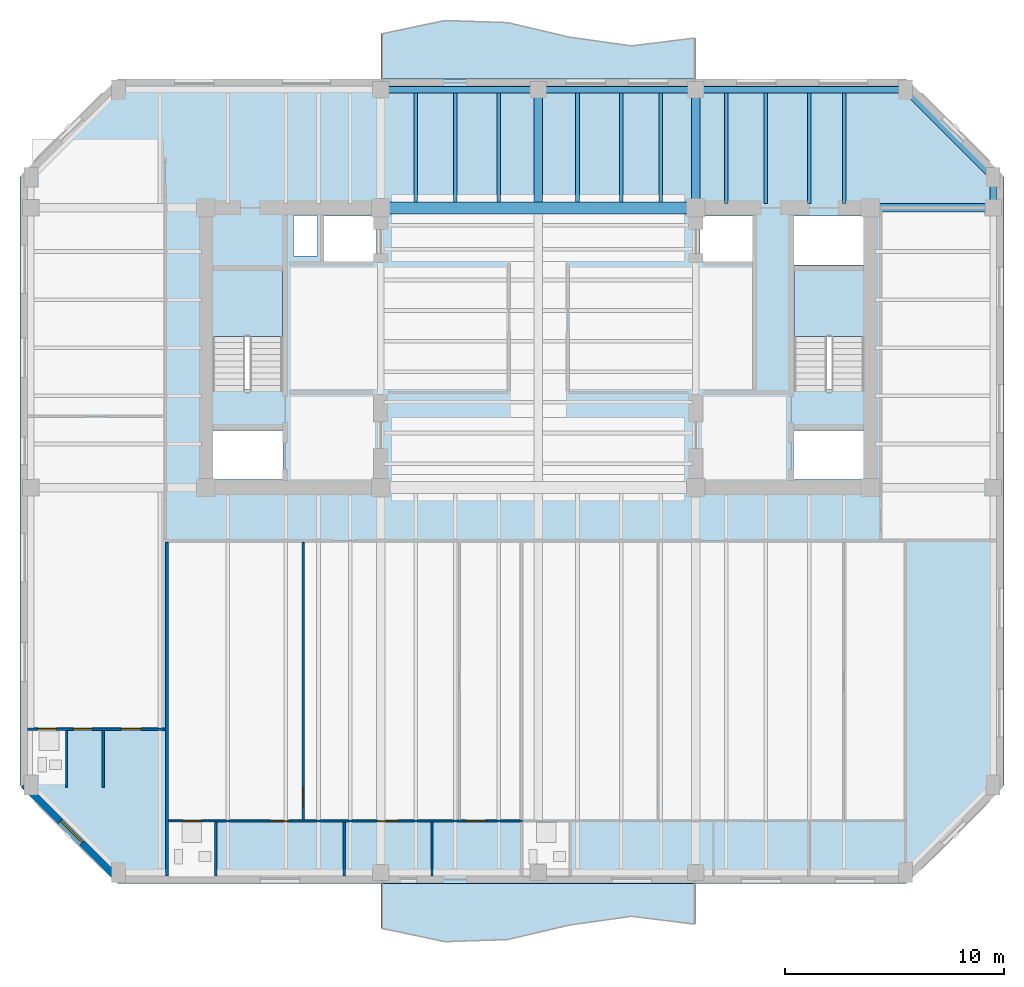
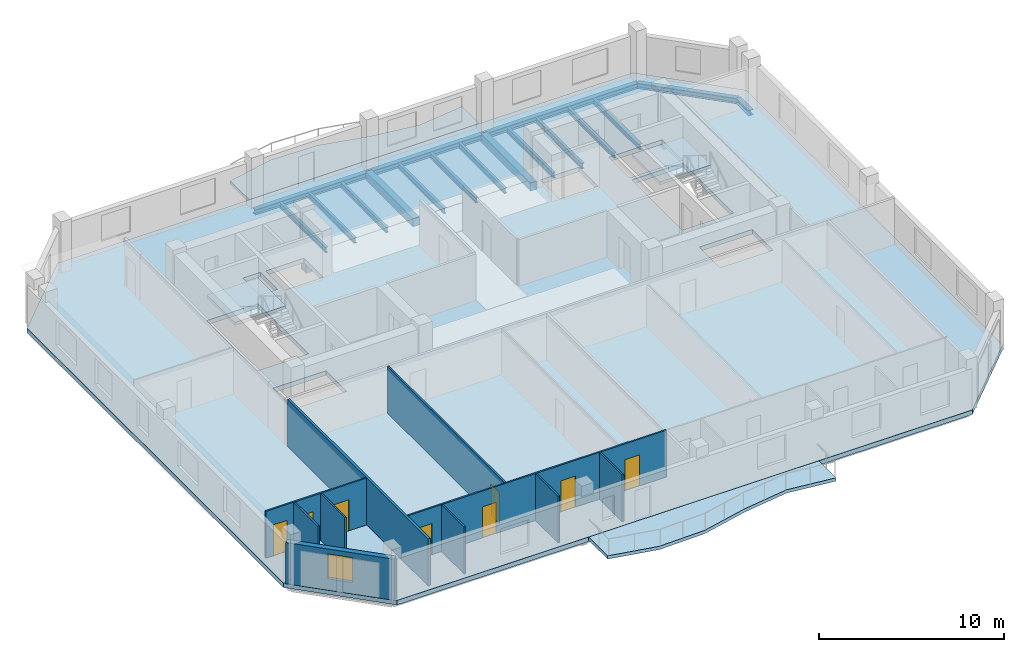
# One storey, part 2 of 10: 19 beams, 10 walls, 8 doors, 5 slabs, 1 window, 9 openings, 2 elements without a shape of their own.
"""IFC4 building model written with IfcOpenShell, lengths in metres."""

from ifc_helpers import new_model, si_unit, direction, frame, frame_2d, origin, origin_2d, place, context, subcontext, project, spatial, polyline, rectangle, i_section, outline, extrude, material, layer, layer_set, material_profile, profile_set, type_object, element, fill, aggregate, save


model = new_model("IFC4")

# Units and contexts
model_context = context("Model", 3, precision=1e-05, world=origin(), true_north=direction((0.0, 1.0)))
body_context = subcontext(model_context, "Body", "Model", "MODEL_VIEW")
ifc_project = project(units=[si_unit("LENGTHUNIT", "METRE"), si_unit("AREAUNIT", "SQUARE_METRE"), si_unit("VOLUMEUNIT", "CUBIC_METRE"), si_unit("PLANEANGLEUNIT", "RADIAN"), si_unit("MASSUNIT", "GRAM", prefix="KILO")], contexts=[model_context])

# Site, building, storey
site_placement = place(None, origin())
site = spatial("IfcSite", under=ifc_project, at=site_placement, CompositionType="ELEMENT")
building_placement = place(site_placement, origin())
building = spatial("IfcBuilding", under=site, at=building_placement, Name="Kranthara Brick Stack", CompositionType="ELEMENT")
storey_placement = place(building_placement, frame((0.0, 0.0, 214.300048828125)))
storey = spatial("IfcBuildingStorey", under=building, at=storey_placement, Name="L55", CompositionType="ELEMENT", Elevation=214.300048828125)

# Beams
ifc_material_1 = material(Name="Concrete C50/60", Category="concrete")
ifc_material_profile_1 = material_profile(ifc_material_1, rectangle(XDim=0.550048828125, YDim=0.85009765625, at=origin_2d()), Name="RC 550x850")
ifc_profile_set_1 = profile_set([ifc_material_profile_1], Name="Concrete C50/60")
beam_type_1 = type_object("IfcBeamType", Name="BM-CPL-RC850", PredefinedType="LINTEL", material=ifc_profile_set_1)
beam_1_placement = place(storey_placement, frame((20.800048828125, 33.60009765625, -0.72509765625), z_axis=(1.0, 0.0, 0.0), x_axis=(0.0, 1.0, 0.0)))
element("IfcBeam", 1, at=beam_1_placement, inside=storey, type_object=beam_type_1, Name="L55 Core Coupling Beam 002", PredefinedType="LINTEL", context=body_context, shape_type="SweptSolid", body=[
    extrude(rectangle(XDim=0.550048828125, YDim=0.85009765625, at=origin_2d()), origin(), (0.0, 0.0, 1.0), 14.39990234375),
])
ifc_material_2 = material(Name="Post-tensioned concrete C45/55", Category="concrete")
ifc_material_profile_2 = material_profile(ifc_material_2, rectangle(XDim=0.39990234375, YDim=0.550048828125, at=origin_2d()), Name="PT 400x550")
ifc_profile_set_2 = profile_set([ifc_material_profile_2], Name="Post-tensioned concrete C45/55")
beam_type_2 = type_object("IfcBeamType", Name="BM-FLR-PT550", PredefinedType="BEAM", material=ifc_profile_set_2)
beam_2_placement = place(storey_placement, frame((28.0, 33.875, -0.574951171875), z_axis=(0.0, 1.0, 0.0), x_axis=(-1.0, 0.0, 0.0)))
element("IfcBeam", 2, at=beam_2_placement, inside=storey, type_object=beam_type_2, Name="L55 Primary Grid Girder 027", PredefinedType="BEAM", context=body_context, shape_type="SweptSolid", body=[
    extrude(rectangle(XDim=0.39990234375, YDim=0.550048828125, at=origin_2d()), origin(), (0.0, 0.0, 1.0), 5.125),
])
beam_3_placement = place(storey_placement, frame((35.199951171875, 33.60009765625, -0.574951171875), z_axis=(0.0, 1.0, 0.0), x_axis=(-1.0, 0.0, 0.0)))
element("IfcBeam", 3, at=beam_3_placement, inside=storey, type_object=beam_type_2, Name="L55 Primary Grid Girder 029", PredefinedType="BEAM", context=body_context, shape_type="SweptSolid", body=[
    extrude(rectangle(XDim=0.39990234375, YDim=0.550048828125, at=origin_2d()), origin(), (0.0, 0.0, 1.0), 5.39990234375),
])
beam_4_placement = place(storey_placement, frame((43.199951171875, 33.60009765625, -0.574951171875), z_axis=(1.0, 0.0, 0.0), x_axis=(0.0, 1.0, 0.0)))
element("IfcBeam", 4, at=beam_4_placement, inside=storey, type_object=beam_type_2, Name="L55 Primary Grid Girder 033", PredefinedType="BEAM", context=body_context, shape_type="SweptSolid", body=[
    extrude(rectangle(XDim=0.39990234375, YDim=0.550048828125, at=origin_2d()), origin(), (0.0, 0.0, 1.0), 5.60009765625),
])
ifc_material_3 = material(Name="Steel S355", Category="steel")
ifc_material_profile_3 = material_profile(ifc_material_3, i_section(OverallWidth=0.169921875, OverallDepth=0.360107421875, WebThickness=0.008056640625, FlangeThickness=0.0126953125, at=origin_2d()), Name="IPE 360")
ifc_profile_set_3 = profile_set([ifc_material_profile_3], Name="Steel S355")
beam_type_3 = type_object("IfcBeamType", Name="BM-JST-IPE360", PredefinedType="JOIST", material=ifc_profile_set_3)
for number, where, z_axis, x_axis, name in (
    (5, (22.39990234375, 33.875, -0.47998046875), (0.0, 1.0, 0.0), (-1.0, 0.0, 0.0), "L55 North Wing Floor Joist 063"),
    (6, (24.199951171875, 33.875, -0.47998046875), (0.0, 1.0, 0.0), (-1.0, 0.0, 0.0), "L55 North Wing Floor Joist 065"),
    (7, (26.199951171875, 33.875, -0.47998046875), (0.0, 1.0, 0.0), (-1.0, 0.0, 0.0), "L55 North Wing Floor Joist 067"),
    (8, (29.800048828125, 33.875, -0.47998046875), (0.0, 1.0, 0.0), (-1.0, 0.0, 0.0), "L55 North Wing Floor Joist 069"),
    (9, (31.800048828125, 33.875, -0.47998046875), (0.0, 1.0, 0.0), (-1.0, 0.0, 0.0), "L55 North Wing Floor Joist 071"),
    (10, (33.60009765625, 33.875, -0.47998046875), (0.0, 1.0, 0.0), (-1.0, 0.0, 0.0), "L55 North Wing Floor Joist 073"),
):
    element("IfcBeam", number, at=place(storey_placement, frame(where, z_axis=z_axis, x_axis=x_axis)), inside=storey, type_object=beam_type_3, Name=name, PredefinedType="JOIST", context=body_context, shape_type="SweptSolid", body=[
        extrude(i_section(OverallWidth=0.169921875, OverallDepth=0.360107421875, WebThickness=0.008056640625, FlangeThickness=0.0126953125, at=origin_2d()), origin(), (0.0, 0.0, 1.0), 4.97509765625),
    ])
for number, where, z_axis, x_axis, name in (
    (11, (36.60009765625, 33.800048828125, -0.47998046875), (0.0, 1.0, 0.0), (-1.0, 0.0, 0.0), "L55 North Wing Floor Joist 075"),
    (12, (38.39990234375, 33.800048828125, -0.47998046875), (0.0, 1.0, 0.0), (-1.0, 0.0, 0.0), "L55 North Wing Floor Joist 077"),
    (13, (40.39990234375, 33.800048828125, -0.47998046875), (0.0, 1.0, 0.0), (-1.0, 0.0, 0.0), "L55 North Wing Floor Joist 079"),
    (14, (42.0, 33.800048828125, -0.47998046875), (0.0, 1.0, 0.0), (-1.0, 0.0, 0.0), "L55 North Wing Floor Joist 081"),
):
    element("IfcBeam", number, at=place(storey_placement, frame(where, z_axis=z_axis, x_axis=x_axis)), inside=storey, type_object=beam_type_3, Name=name, PredefinedType="JOIST", context=body_context, shape_type="SweptSolid", body=[
        extrude(i_section(OverallWidth=0.169921875, OverallDepth=0.360107421875, WebThickness=0.008056640625, FlangeThickness=0.0126953125, at=origin_2d()), origin(), (0.0, 0.0, 1.0), 5.050048828125),
    ])
ifc_material_4 = material(Name="Steel S355", Category="steel")
ifc_material_profile_4 = material_profile(ifc_material_4, i_section(OverallWidth=0.300048828125, OverallDepth=0.360107421875, WebThickness=0.012451171875, FlangeThickness=0.0224609375, at=origin_2d()), Name="HEB 360")
ifc_profile_set_4 = profile_set([ifc_material_profile_4], Name="Steel S355")
beam_type_4 = type_object("IfcBeamType", Name="BM-STL-HEB360", PredefinedType="SPANDREL", material=ifc_profile_set_4)
for number, where, z_axis, x_axis, name in (
    (15, (20.800048828125, 39.0, -0.47998046875), (1.0, 0.0, 0.0), (0.0, 1.0, 0.0), "L55 Perimeter Spandrel Beam 010"),
    (16, (28.0, 39.0, -0.47998046875), (1.0, 0.0, 0.0), (0.0, 1.0, 0.0), "L55 Perimeter Spandrel Beam 011"),
):
    element("IfcBeam", number, at=place(storey_placement, frame(where, z_axis=z_axis, x_axis=x_axis)), inside=storey, type_object=beam_type_4, Name=name, PredefinedType="SPANDREL", context=body_context, shape_type="SweptSolid", body=[
        extrude(i_section(OverallWidth=0.300048828125, OverallDepth=0.360107421875, WebThickness=0.012451171875, FlangeThickness=0.0224609375, at=origin_2d()), origin(), (0.0, 0.0, 1.0), 7.199951171875),
    ])
beam_5_placement = place(storey_placement, frame((35.199951171875, 39.0, -0.47998046875), z_axis=(1.0, 0.0, 0.0), x_axis=(0.0, 1.0, 0.0)))
element("IfcBeam", 17, at=beam_5_placement, inside=storey, type_object=beam_type_4, Name="L55 Perimeter Spandrel Beam 012", PredefinedType="SPANDREL", context=body_context, shape_type="SweptSolid", body=[
    extrude(i_section(OverallWidth=0.300048828125, OverallDepth=0.360107421875, WebThickness=0.012451171875, FlangeThickness=0.0224609375, at=origin_2d()), origin(), (0.0, 0.0, 1.0), 9.60009765625),
])
beam_6_placement = place(storey_placement, frame((48.800048828125, 33.60009765625, -0.47998046875), z_axis=(0.0, 1.0, 0.0), x_axis=(-1.0, 0.0, 0.0)))
element("IfcBeam", 18, at=beam_6_placement, inside=storey, type_object=beam_type_4, Name="L55 Perimeter Spandrel Beam 018", PredefinedType="SPANDREL", context=body_context, shape_type="SweptSolid", body=[
    extrude(i_section(OverallWidth=0.300048828125, OverallDepth=0.360107421875, WebThickness=0.012451171875, FlangeThickness=0.0224609375, at=origin_2d()), origin(), (0.0, 0.0, 1.0), 1.39990234375),
])
beam_7_placement = place(storey_placement, frame((44.800048828125, 39.0, -0.47998046875), z_axis=(0.707106781187, -0.707106781187, 0.0), x_axis=(0.707106781187, 0.707106781187, 0.0)))
element("IfcBeam", 19, at=beam_7_placement, inside=storey, type_object=beam_type_4, Name="L55 Chamfer Corner Spandrel 022", PredefinedType="SPANDREL", context=body_context, shape_type="SweptSolid", body=[
    extrude(i_section(OverallWidth=0.300048828125, OverallDepth=0.360107421875, WebThickness=0.012451171875, FlangeThickness=0.0224609375, at=origin_2d()), origin(), (0.0, 0.0, 1.0), 5.65673828125),
])

# Slabs
ifc_material_5 = material(Name="Concrete C45/55", Category="concrete")
ifc_layer_1 = layer(ifc_material_5, 0.219970703125)
ifc_layer_set_1 = layer_set([ifc_layer_1], Name="Concrete C45/55")
slab_type_1 = type_object("IfcSlabType", Name="SLB-BALC-220", PredefinedType="FLOOR", material=ifc_layer_set_1)
slab_1_placement = place(storey_placement, frame((0.0, 0.0, -0.219970703125)))
element("IfcSlab", 20, at=slab_1_placement, inside=storey, type_object=slab_type_1, Name="L55 South Rippling Balcony Slab", PredefinedType="FLOOR", context=body_context, shape_type="SweptSolid", body=[
    extrude(outline(polyline([(20.800048828125, 2.699951171875), (35.199951171875, 2.699951171875), (35.199951171875, 0.838623046875), (32.320068359375, 1.198974609375), (29.43994140625, 0.774658203125), (26.56005859375, 0.09912109375), (23.679931640625, 0.02197265625), (20.800048828125, 0.640380859375), (20.800048828125, 2.699951171875)])), origin(), (0.0, 0.0, 1.0), 0.219970703125),
])
slab_2_placement = place(storey_placement, frame((0.0, 0.0, -0.219970703125)))
element("IfcSlab", 21, at=slab_2_placement, inside=storey, type_object=slab_type_1, Name="L55 North Rippling Balcony Slab", PredefinedType="FLOOR", context=body_context, shape_type="SweptSolid", body=[
    extrude(outline(polyline([(35.199951171875, 39.5), (20.800048828125, 39.5), (20.800048828125, 41.5595703125), (23.679931640625, 42.177978515625), (26.56005859375, 42.100830078125), (29.43994140625, 41.42529296875), (32.320068359375, 41.0009765625), (35.199951171875, 41.361328125), (35.199951171875, 39.5)])), origin(), (0.0, 0.0, 1.0), 0.219970703125),
])

# Stair, slab
ifc_material_6 = material(Name="Concrete C45/55", Category="concrete")
stair_type = type_object("IfcStairType", Name="ST-CORE-20R", PredefinedType="HALF_TURN_STAIR", material=ifc_material_6)
stair_1_placement = place(storey_placement, origin())
stair_1 = element("IfcStair", 22, at=stair_1_placement, inside=storey, type_object=stair_type, Name="L55 West Core Protected Exit Stair ST01", PredefinedType="HALF_TURN_STAIR")
ifc_material_7 = material(Name="Concrete C45/55", Category="concrete")
ifc_layer_2 = layer(ifc_material_7, 0.199951171875)
ifc_layer_set_2 = layer_set([ifc_layer_2], Name="Concrete C45/55")
slab_type_2 = type_object("IfcSlabType", Name="SLB-LANDING-200", PredefinedType="LANDING", material=ifc_layer_set_2)
slab_3_placement = place(storey_placement, frame((0.0, 0.0, 1.5)))
slab_3 = element("IfcSlab", 23, at=slab_3_placement, type_object=slab_type_2, Name="ST01 landing 1", PredefinedType="LANDING", context=body_context, shape_type="SweptSolid", body=[
    extrude(outline(polyline([(16.300048828125, 27.719970703125), (16.300048828125, 30.75), (13.10009765625, 30.75), (13.10009765625, 27.719970703125), (16.300048828125, 27.719970703125)])), origin(), (0.0, 0.0, 1.0), 0.199951171875),
])
aggregate(stair_1, [slab_3])

stair_2_placement = place(storey_placement, origin())
stair_2 = element("IfcStair", 24, at=stair_2_placement, inside=storey, type_object=stair_type, Name="L55 East Core Protected Exit Stair ST02", PredefinedType="HALF_TURN_STAIR")
slab_4_placement = place(storey_placement, frame((0.0, 0.0, 1.5)))
slab_4 = element("IfcSlab", 25, at=slab_4_placement, type_object=slab_type_2, Name="ST02 landing 1", PredefinedType="LANDING", context=body_context, shape_type="SweptSolid", body=[
    extrude(outline(polyline([(42.89990234375, 27.719970703125), (42.89990234375, 30.75), (39.699951171875, 30.75), (39.699951171875, 27.719970703125), (42.89990234375, 27.719970703125)])), origin(), (0.0, 0.0, 1.0), 0.199951171875),
])
aggregate(stair_2, [slab_4])

# Slab
ifc_material_8 = material(Name="Post-tensioned concrete C45/55", Category="concrete")
ifc_layer_3 = layer(ifc_material_8, 0.300048828125)
ifc_layer_set_3 = layer_set([ifc_layer_3], Name="Post-tensioned concrete C45/55")
slab_type_3 = type_object("IfcSlabType", Name="SLB-TWR-300", PredefinedType="FLOOR", material=ifc_layer_set_3)
slab_5_placement = place(storey_placement, frame((0.0, 0.0, -0.300048828125)))
element("IfcSlab", 26, at=slab_5_placement, inside=storey, type_object=slab_type_3, Name="L55 Structural Floor Plate", PredefinedType="FLOOR", context=body_context, shape_type="SweptSolid", body=[
    extrude(outline(polyline([(8.800048828125, 2.699951171875), (44.800048828125, 2.699951171875), (49.300048828125, 7.199951171875), (49.300048828125, 35.0), (44.800048828125, 39.5), (8.800048828125, 39.5), (4.300048828125, 35.0), (4.300048828125, 7.199951171875), (8.800048828125, 2.699951171875)]), holes=[polyline([(13.10009765625, 25.280029296875), (16.300048828125, 25.280029296875), (16.300048828125, 30.75), (13.10009765625, 30.75), (13.10009765625, 25.280029296875)]), polyline([(39.699951171875, 25.280029296875), (42.89990234375, 25.280029296875), (42.89990234375, 30.75), (39.699951171875, 30.75), (39.699951171875, 25.280029296875)]), polyline([(13.0, 21.179931640625), (16.320068359375, 21.179931640625), (16.320068359375, 23.419921875), (13.0, 23.419921875), (13.0, 21.179931640625)]), polyline([(39.679931640625, 21.179931640625), (43.0, 21.179931640625), (43.0, 23.419921875), (39.679931640625, 23.419921875), (39.679931640625, 21.179931640625)]), polyline([(39.679931640625, 30.97998046875), (43.0, 30.97998046875), (43.0, 33.219970703125), (39.679931640625, 33.219970703125), (39.679931640625, 30.97998046875)]), polyline([(18.199951171875, 31.14990234375), (20.60009765625, 31.14990234375), (20.60009765625, 33.219970703125), (18.199951171875, 33.219970703125), (18.199951171875, 31.14990234375)]), polyline([(35.39990234375, 31.14990234375), (37.800048828125, 31.14990234375), (37.800048828125, 33.219970703125), (35.39990234375, 33.219970703125), (35.39990234375, 31.14990234375)]), polyline([(16.800048828125, 31.39990234375), (17.89990234375, 31.39990234375), (17.89990234375, 33.25), (16.800048828125, 33.25), (16.800048828125, 31.39990234375)])]), origin(), (0.0, 0.0, 1.0), 0.300048828125),
])

# Wall, opening, window
ifc_material_9 = material(Name="Warm buff clay brick masonry M15", Category="masonry")
ifc_layer_4 = layer(ifc_material_9, 0.320068359375)
ifc_layer_set_4 = layer_set([ifc_layer_4], Name="Warm buff clay brick masonry M15")
wall_type_1 = type_object("IfcWallType", Name="WL-BRK-UPPR-320", PredefinedType="STANDARD", material=ifc_layer_set_4)
wall_1_placement = place(storey_placement, frame((8.800048828125, 2.8798828125, 0.0), z_axis=(0.0, 0.0, 1.0), x_axis=(-0.707106781187, 0.707106781187, 0.0)))
wall_1 = element("IfcWall", 27, at=wall_1_placement, inside=storey, type_object=wall_type_1, Name="L55 Exterior Brick Facade Wall SW 1", PredefinedType="STANDARD", context=body_context, shape_type="SweptSolid", body=[
    extrude(rectangle(XDim=6.109619140625, YDim=0.320068359375, at=frame_2d((3.0546875, 0.0))), origin(), (0.0, 0.0, 1.0), 2.724853515625),
])
opening_1_placement = place(wall_1_placement, frame((2.35498046875, 0.0, 0.75)))
opening_1 = element("IfcOpeningElement", 28, at=opening_1_placement, cuts=wall_1, Name="Opening WN10", PredefinedType="OPENING", context=body_context, shape_type="SweptSolid", body=[
    extrude(rectangle(XDim=1.39990234375, YDim=1.64990234375, at=frame_2d((0.699951171875, 0.824951171875))), frame((0.0, 0.169921875, 0.0), z_axis=(0.0, -1.0, 0.0), x_axis=(1.0, 0.0, 0.0)), (0.0, 0.0, 1.0), 0.340087890625),
])
ifc_material_10 = material(Name="Double-glazed low-E solar control glass", Category="glass")
window_type = type_object("IfcWindowType", Name="WN-CHM-1400x1750", PartitioningType="SINGLE_PANEL", PredefinedType="WINDOW", material=ifc_material_10)
window_placement = place(opening_1_placement, origin())
window = element("IfcWindow", 29, at=window_placement, inside=storey, type_object=window_type, Name="L55 SW Chamfer Corner Window", OverallHeight=1.64990234375, OverallWidth=1.39990234375, PartitioningType="SINGLE_PANEL", PredefinedType="WINDOW", context=body_context, shape_type="SweptSolid", body=[
    extrude(rectangle(XDim=1.39990234375, YDim=1.64990234375, at=frame_2d((0.699951171875, 0.824951171875))), frame((0.0, -0.010009765625, 0.0), z_axis=(0.0, -1.0, 0.0), x_axis=(1.0, 0.0, 0.0)), (0.0, 0.0, 1.0), 0.06005859375),
])
fill(opening_1, window)

# Wall, openings, doors
ifc_material_11 = material(Name="Moisture-resistant wet-room partition", Category="other")
ifc_layer_5 = layer(ifc_material_11, 0.10009765625)
ifc_layer_set_5 = layer_set([ifc_layer_5], Name="Moisture-resistant wet-room partition")
wall_type_2 = type_object("IfcWallType", Name="WL-PART-100", PredefinedType="PARTITIONING", material=ifc_layer_set_5)
wall_2_placement = place(storey_placement, frame((11.10009765625, 5.550048828125, 0.0), z_axis=(0.0, 0.0, 1.0), x_axis=(1.0, 0.0, 0.0)))
wall_2 = element("IfcWall", 30, at=wall_2_placement, inside=storey, type_object=wall_type_2, Name="L55 Interior Partition 007", PredefinedType="PARTITIONING", context=body_context, shape_type="SweptSolid", body=[
    extrude(rectangle(XDim=16.173828125, YDim=0.10009765625, at=frame_2d((8.0869140625, 0.0))), origin(), (0.0, 0.0, 1.0), 3.099853515625),
])
opening_2_placement = place(wall_2_placement, frame((0.64990234375, 0.0, 0.0)))
opening_2 = element("IfcOpeningElement", 31, at=opening_2_placement, cuts=wall_2, Name="Opening D17", PredefinedType="OPENING", context=body_context, shape_type="SweptSolid", body=[
    extrude(rectangle(XDim=0.85009765625, YDim=2.050048828125, at=frame_2d((0.425048828125, 1.02490234375))), frame((0.0, 0.06005859375, 0.0), z_axis=(0.0, -1.0, 0.0), x_axis=(1.0, 0.0, 0.0)), (0.0, 0.0, 1.0), 0.1201171875),
])
opening_3_placement = place(wall_2_placement, frame((4.6640625, 0.0, 0.0)))
opening_3 = element("IfcOpeningElement", 32, at=opening_3_placement, cuts=wall_2, Name="Opening D16", PredefinedType="OPENING", context=body_context, shape_type="SweptSolid", body=[
    extrude(rectangle(XDim=0.85009765625, YDim=2.050048828125, at=frame_2d((0.425048828125, 1.02490234375))), frame((0.0, 0.06005859375, 0.0), z_axis=(0.0, -1.0, 0.0), x_axis=(1.0, 0.0, 0.0)), (0.0, 0.0, 1.0), 0.1201171875),
])
opening_4_placement = place(wall_2_placement, frame((9.583984375, 0.0, 0.0)))
opening_4 = element("IfcOpeningElement", 33, at=opening_4_placement, cuts=wall_2, Name="Opening D15", PredefinedType="OPENING", context=body_context, shape_type="SweptSolid", body=[
    extrude(rectangle(XDim=0.89990234375, YDim=2.050048828125, at=frame_2d((0.449951171875, 1.02490234375))), frame((0.0, 0.06005859375, 0.0), z_axis=(0.0, -1.0, 0.0), x_axis=(1.0, 0.0, 0.0)), (0.0, 0.0, 1.0), 0.1201171875),
])
opening_5_placement = place(wall_2_placement, frame((13.597900390625, 0.0, 0.0)))
opening_5 = element("IfcOpeningElement", 34, at=opening_5_placement, cuts=wall_2, Name="Opening D15", PredefinedType="OPENING", context=body_context, shape_type="SweptSolid", body=[
    extrude(rectangle(XDim=0.89990234375, YDim=2.050048828125, at=frame_2d((0.449951171875, 1.02490234375))), frame((0.0, 0.06005859375, 0.0), z_axis=(0.0, -1.0, 0.0), x_axis=(1.0, 0.0, 0.0)), (0.0, 0.0, 1.0), 0.1201171875),
])
ifc_material_12 = material(Name="Solid-core hardwood timber leaf in steel frame", Category="steel")
door_type_1 = type_object("IfcDoorType", Name="DR-INT-850", OperationType="NOTDEFINED", PredefinedType="DOOR", material=ifc_material_12)
door_1_placement = place(opening_3_placement, origin())
door_1 = element("IfcDoor", 35, at=door_1_placement, inside=storey, type_object=door_type_1, Name="L55 Unit L55A Kitchen 07", OperationType="SINGLE_SWING_LEFT", OverallHeight=2.050048828125, OverallWidth=0.85009765625, PredefinedType="DOOR", context=body_context, shape_type="SweptSolid", body=[
    extrude(rectangle(XDim=0.85009765625, YDim=2.050048828125, at=frame_2d((0.425048828125, 1.02490234375))), frame((0.0, 0.02490234375, 0.0), z_axis=(0.0, -1.0, 0.0), x_axis=(1.0, 0.0, 0.0)), (0.0, 0.0, 1.0), 0.050048828125),
])
fill(opening_3, door_1)
ifc_material_13 = material(Name="Solid-core hardwood timber leaf in steel frame", Category="steel")
door_type_2 = type_object("IfcDoorType", Name="DR-INT-900", OperationType="NOTDEFINED", PredefinedType="DOOR", material=ifc_material_13)
door_2_placement = place(opening_4_placement, origin())
door_2 = element("IfcDoor", 36, at=door_2_placement, inside=storey, type_object=door_type_2, Name="L55 Unit L55A Master Bedroom 08", OperationType="SINGLE_SWING_RIGHT", OverallHeight=2.050048828125, OverallWidth=0.89990234375, PredefinedType="DOOR", context=body_context, shape_type="SweptSolid", body=[
    extrude(rectangle(XDim=0.89990234375, YDim=2.050048828125, at=frame_2d((0.449951171875, 1.02490234375))), frame((0.0, 0.02490234375, 0.0), z_axis=(0.0, -1.0, 0.0), x_axis=(1.0, 0.0, 0.0)), (0.0, 0.0, 1.0), 0.050048828125),
])
fill(opening_4, door_2)
door_3_placement = place(opening_5_placement, origin())
door_3 = element("IfcDoor", 37, at=door_3_placement, inside=storey, type_object=door_type_2, Name="L55 Unit L55A Bedroom 2 09", OperationType="SINGLE_SWING_LEFT", OverallHeight=2.050048828125, OverallWidth=0.89990234375, PredefinedType="DOOR", context=body_context, shape_type="SweptSolid", body=[
    extrude(rectangle(XDim=0.89990234375, YDim=2.050048828125, at=frame_2d((0.449951171875, 1.02490234375))), frame((0.0, 0.02490234375, 0.0), z_axis=(0.0, -1.0, 0.0), x_axis=(1.0, 0.0, 0.0)), (0.0, 0.0, 1.0), 0.050048828125),
])
fill(opening_5, door_3)
ifc_material_14 = material(Name="Solid-core hardwood timber leaf in steel frame", Category="steel")
door_type_3 = type_object("IfcDoorType", Name="DR-WET-850", OperationType="NOTDEFINED", PredefinedType="DOOR", material=ifc_material_14)
door_4_placement = place(opening_2_placement, origin())
door_4 = element("IfcDoor", 38, at=door_4_placement, inside=storey, type_object=door_type_3, Name="L55 Unit L55A Bathroom 06", OperationType="SINGLE_SWING_RIGHT", OverallHeight=2.050048828125, OverallWidth=0.85009765625, PredefinedType="DOOR", context=body_context, shape_type="SweptSolid", body=[
    extrude(rectangle(XDim=0.85009765625, YDim=2.050048828125, at=frame_2d((0.425048828125, 1.02490234375))), frame((0.0, 0.02490234375, 0.0), z_axis=(0.0, -1.0, 0.0), x_axis=(1.0, 0.0, 0.0)), (0.0, 0.0, 1.0), 0.050048828125),
])
fill(opening_2, door_4)

# Wall, opening, door
wall_3_placement = place(storey_placement, frame((17.256103515625, 5.60498046875, 0.0), z_axis=(0.0, 0.0, 1.0), x_axis=(0.0, 1.0, 0.0)))
wall_3 = element("IfcWall", 39, at=wall_3_placement, inside=storey, type_object=wall_type_2, Name="L55 Interior Partition 009", PredefinedType="PARTITIONING", context=body_context, shape_type="SweptSolid", body=[
    extrude(rectangle(XDim=12.695068359375, YDim=0.10009765625, at=frame_2d((6.34765625, 0.0))), origin(), (0.0, 0.0, 1.0), 3.099853515625),
])
opening_6_placement = place(wall_3_placement, frame((0.60498046875, 0.0, 0.0)))
opening_6 = element("IfcOpeningElement", 40, at=opening_6_placement, cuts=wall_3, Name="Opening D15", PredefinedType="OPENING", context=body_context, shape_type="SweptSolid", body=[
    extrude(rectangle(XDim=0.89990234375, YDim=2.050048828125, at=frame_2d((0.449951171875, 1.02490234375))), frame((0.0, 0.06005859375, 0.0), z_axis=(0.0, -1.0, 0.0), x_axis=(1.0, 0.0, 0.0)), (0.0, 0.0, 1.0), 0.1201171875),
])
door_5_placement = place(opening_6_placement, origin())
door_5 = element("IfcDoor", 41, at=door_5_placement, inside=storey, type_object=door_type_2, Name="L55 Unit L55A Study 05", OperationType="SINGLE_SWING_LEFT", OverallHeight=2.050048828125, OverallWidth=0.89990234375, PredefinedType="DOOR", context=body_context, shape_type="SweptSolid", body=[
    extrude(rectangle(XDim=0.89990234375, YDim=2.050048828125, at=frame_2d((0.449951171875, 1.02490234375))), frame((0.0, 0.02490234375, 0.0), z_axis=(0.0, -1.0, 0.0), x_axis=(1.0, 0.0, 0.0)), (0.0, 0.0, 1.0), 0.050048828125),
])
fill(opening_6, door_5)

# Walls
for number, where, z_axis, x_axis, name in (
    (42, (13.25, 3.044921875, 0.0), (0.0, 0.0, 1.0), (0.0, 1.0, 0.0), "L55 Interior Partition 010"),
    (43, (19.126953125, 3.044921875, 0.0), (0.0, 0.0, 1.0), (0.0, 1.0, 0.0), "L55 Interior Partition 011"),
    (44, (23.14111328125, 3.044921875, 0.0), (0.0, 0.0, 1.0), (0.0, 1.0, 0.0), "L55 Interior Partition 012"),
):
    element("IfcWall", number, at=place(storey_placement, frame(where, z_axis=z_axis, x_axis=x_axis)), inside=storey, type_object=wall_type_2, Name=name, PredefinedType="PARTITIONING", context=body_context, shape_type="SweptSolid", body=[
        extrude(rectangle(XDim=2.4501953125, YDim=0.10009765625, at=frame_2d((1.22509765625, 0.0))), origin(), (0.0, 0.0, 1.0), 3.099853515625),
    ])

# Wall, openings, doors
wall_4_placement = place(storey_placement, frame((4.64501953125, 9.75, 0.0), z_axis=(0.0, 0.0, 1.0), x_axis=(1.0, 0.0, 0.0)))
wall_4 = element("IfcWall", 45, at=wall_4_placement, inside=storey, type_object=wall_type_2, Name="L55 Interior Partition 026", PredefinedType="PARTITIONING", context=body_context, shape_type="SweptSolid", body=[
    extrude(rectangle(XDim=6.294921875, YDim=0.10009765625, at=frame_2d((3.1474609375, 0.0))), origin(), (0.0, 0.0, 1.0), 3.099853515625),
])
opening_7_placement = place(wall_4_placement, frame((0.471923828125, 0.0, 0.0)))
opening_7 = element("IfcOpeningElement", 46, at=opening_7_placement, cuts=wall_4, Name="Opening D17", PredefinedType="OPENING", context=body_context, shape_type="SweptSolid", body=[
    extrude(rectangle(XDim=0.85009765625, YDim=2.050048828125, at=frame_2d((0.425048828125, 1.02490234375))), frame((0.0, 0.06005859375, 0.0), z_axis=(0.0, -1.0, 0.0), x_axis=(1.0, 0.0, 0.0)), (0.0, 0.0, 1.0), 0.1201171875),
])
opening_8_placement = place(wall_4_placement, frame((2.092041015625, 0.0, 0.0)))
opening_8 = element("IfcOpeningElement", 47, at=opening_8_placement, cuts=wall_4, Name="Opening D16", PredefinedType="OPENING", context=body_context, shape_type="SweptSolid", body=[
    extrude(rectangle(XDim=0.85009765625, YDim=2.050048828125, at=frame_2d((0.425048828125, 1.02490234375))), frame((0.0, 0.06005859375, 0.0), z_axis=(0.0, -1.0, 0.0), x_axis=(1.0, 0.0, 0.0)), (0.0, 0.0, 1.0), 0.1201171875),
])
opening_9_placement = place(wall_4_placement, frame((4.284912109375, 0.0, 0.0)))
opening_9 = element("IfcOpeningElement", 48, at=opening_9_placement, cuts=wall_4, Name="Opening D15", PredefinedType="OPENING", context=body_context, shape_type="SweptSolid", body=[
    extrude(rectangle(XDim=0.89990234375, YDim=2.050048828125, at=frame_2d((0.449951171875, 1.02490234375))), frame((0.0, 0.06005859375, 0.0), z_axis=(0.0, -1.0, 0.0), x_axis=(1.0, 0.0, 0.0)), (0.0, 0.0, 1.0), 0.1201171875),
])
door_6_placement = place(opening_8_placement, origin())
door_6 = element("IfcDoor", 49, at=door_6_placement, inside=storey, type_object=door_type_1, Name="L55 Unit L55C Kitchen 20", OperationType="SINGLE_SWING_RIGHT", OverallHeight=2.050048828125, OverallWidth=0.85009765625, PredefinedType="DOOR", context=body_context, shape_type="SweptSolid", body=[
    extrude(rectangle(XDim=0.85009765625, YDim=2.050048828125, at=frame_2d((0.425048828125, 1.02490234375))), frame((0.0, 0.02490234375, 0.0), z_axis=(0.0, -1.0, 0.0), x_axis=(1.0, 0.0, 0.0)), (0.0, 0.0, 1.0), 0.050048828125),
])
fill(opening_8, door_6)
door_7_placement = place(opening_9_placement, origin())
door_7 = element("IfcDoor", 50, at=door_7_placement, inside=storey, type_object=door_type_2, Name="L55 Unit L55C Bedroom 21", OperationType="SINGLE_SWING_LEFT", OverallHeight=2.050048828125, OverallWidth=0.89990234375, PredefinedType="DOOR", context=body_context, shape_type="SweptSolid", body=[
    extrude(rectangle(XDim=0.89990234375, YDim=2.050048828125, at=frame_2d((0.449951171875, 1.02490234375))), frame((0.0, 0.02490234375, 0.0), z_axis=(0.0, -1.0, 0.0), x_axis=(1.0, 0.0, 0.0)), (0.0, 0.0, 1.0), 0.050048828125),
])
fill(opening_9, door_7)
door_8_placement = place(opening_7_placement, origin())
door_8 = element("IfcDoor", 51, at=door_8_placement, inside=storey, type_object=door_type_3, Name="L55 Unit L55C Bathroom 19", OperationType="SINGLE_SWING_LEFT", OverallHeight=2.050048828125, OverallWidth=0.85009765625, PredefinedType="DOOR", context=body_context, shape_type="SweptSolid", body=[
    extrude(rectangle(XDim=0.85009765625, YDim=2.050048828125, at=frame_2d((0.425048828125, 1.02490234375))), frame((0.0, 0.02490234375, 0.0), z_axis=(0.0, -1.0, 0.0), x_axis=(1.0, 0.0, 0.0)), (0.0, 0.0, 1.0), 0.050048828125),
])
fill(opening_7, door_8)

# Walls
for number, where, z_axis, x_axis, name in (
    (52, (6.425048828125, 7.080078125, 0.0), (0.0, 0.0, 1.0), (0.0, 1.0, 0.0), "L55 Interior Partition 028"),
    (53, (8.110107421875, 7.080078125, 0.0), (0.0, 0.0, 1.0), (0.0, 1.0, 0.0), "L55 Interior Partition 029"),
):
    element("IfcWall", number, at=place(storey_placement, frame(where, z_axis=z_axis, x_axis=x_axis)), inside=storey, type_object=wall_type_2, Name=name, PredefinedType="PARTITIONING", context=body_context, shape_type="SweptSolid", body=[
        extrude(rectangle(XDim=2.614990234375, YDim=0.10009765625, at=frame_2d((1.3076171875, 0.0))), origin(), (0.0, 0.0, 1.0), 3.099853515625),
    ])
ifc_material_15 = material(Name="Fire-rated gypsum board partition", Category="other")
ifc_layer_6 = layer(ifc_material_15, 0.14990234375)
ifc_layer_set_6 = layer_set([ifc_layer_6], Name="Fire-rated gypsum board partition")
wall_type_3 = type_object("IfcWallType", Name="WL-PART-150", PredefinedType="PARTITIONING", material=ifc_layer_set_6)
wall_5_placement = place(storey_placement, frame((11.02001953125, 3.044921875, 0.0), z_axis=(0.0, 0.0, 1.0), x_axis=(0.0, 1.0, 0.0)))
element("IfcWall", 54, at=wall_5_placement, inside=storey, type_object=wall_type_3, Name="L55 Interior Partition 006", PredefinedType="PARTITIONING", context=body_context, shape_type="SweptSolid", body=[
    extrude(rectangle(XDim=15.255126953125, YDim=0.14990234375, at=frame_2d((7.62744140625, 0.0))), origin(), (0.0, 0.0, 1.0), 3.099853515625),
])

save(model, "model.ifc")
